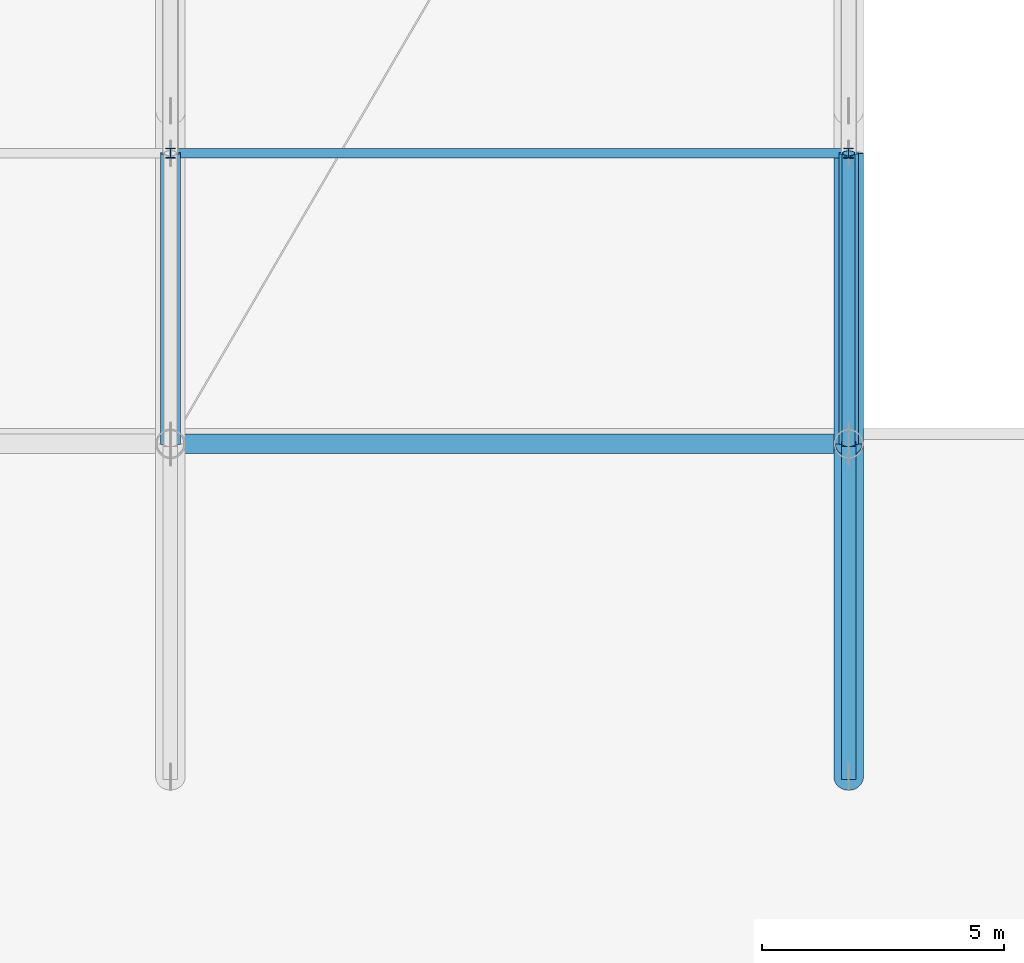
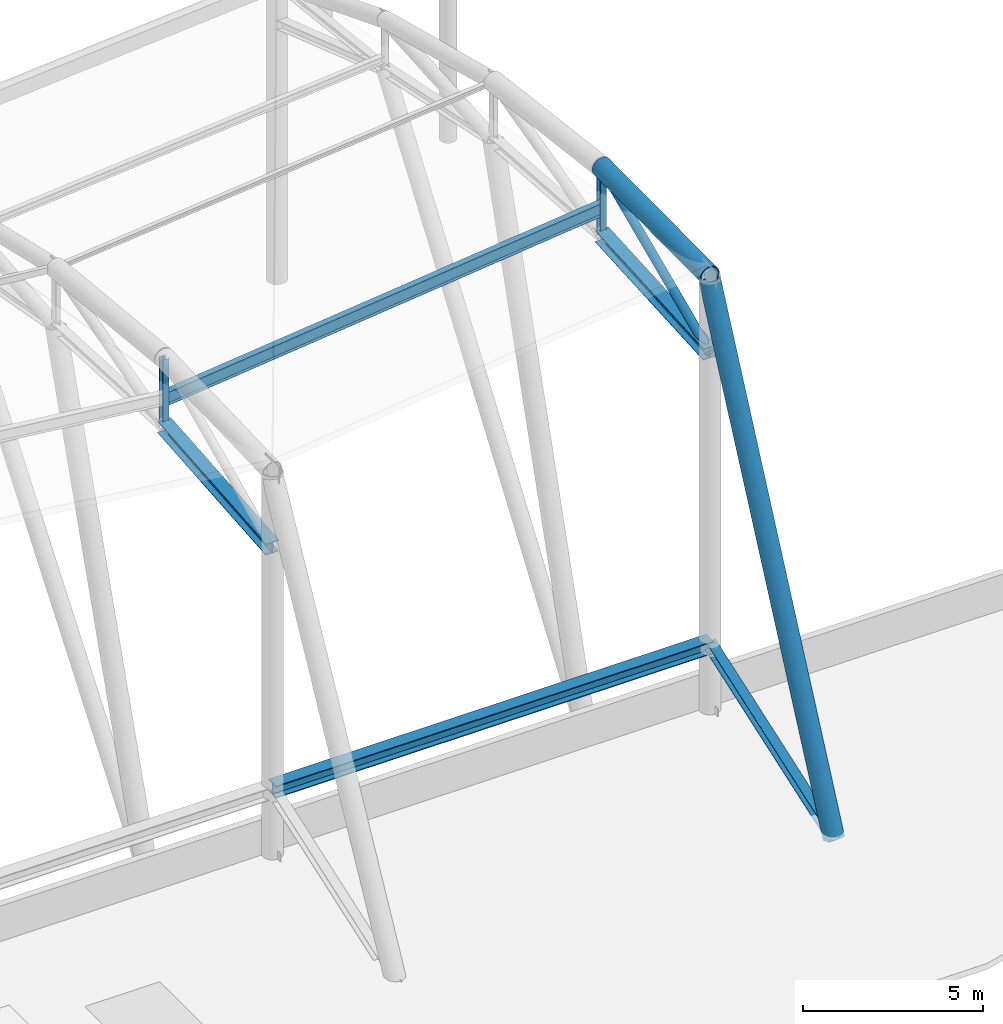
# One storey, part 22 of 90: 9 members, 1 beam.
"""IFC4 building model written with IfcOpenShell, lengths in metres."""

from ifc_helpers import new_model, si_unit, direction, frame, origin, origin_2d, place, context, subcontext, project, spatial, hollow_circle, i_section, extrude, material, material_profile, profile_set, type_object, element, save


model = new_model("IFC4")

# Units and contexts
model_context = context("Model", 3, precision=1e-05, world=origin(), true_north=direction((0.0, 1.0)))
body_context = subcontext(model_context, "Body", "Model", "MODEL_VIEW")
ifc_project = project(units=[si_unit("LENGTHUNIT", "METRE"), si_unit("AREAUNIT", "SQUARE_METRE"), si_unit("VOLUMEUNIT", "CUBIC_METRE"), si_unit("PLANEANGLEUNIT", "RADIAN"), si_unit("MASSUNIT", "GRAM", prefix="KILO")], contexts=[model_context])

# Site, building, storey
site_placement = place(None, origin())
site = spatial("IfcSite", under=ifc_project, at=site_placement, CompositionType="ELEMENT")
building_placement = place(site_placement, origin())
building = spatial("IfcBuilding", under=site, at=building_placement, Name="Linyun Crest Stadium", CompositionType="ELEMENT")
storey_placement = place(building_placement, frame((0.0, 0.0, 21.0)))
storey = spatial("IfcBuildingStorey", under=building, at=storey_placement, Name="L05", CompositionType="ELEMENT", Elevation=21.0)

# Beam
ifc_material_1 = material(Name="Steel Q420C", Category="steel")
ifc_material_profile_1 = material_profile(ifc_material_1, i_section(OverallWidth=0.405029296875, OverallDepth=0.4140625, WebThickness=0.01806640625, FlangeThickness=0.028076171875, at=origin_2d()), Name="HW 414x405")
ifc_profile_set_1 = profile_set([ifc_material_profile_1], Name="Steel Q420C")
beam_type = type_object("IfcBeamType", Name="HB04", PredefinedType="USERDEFINED", material=ifc_profile_set_1)
beam_placement = place(storey_placement, frame((14.0, -73.5, 2.195068359375), z_axis=(1.0, 0.0, 0.0), x_axis=(0.0, 1.0, 0.0)))
element("IfcBeam", 1, at=beam_placement, inside=storey, type_object=beam_type, Name="Roof Outer compression ring beam HB04 V4 44", ObjectType="RING BEAM", PredefinedType="USERDEFINED", context=body_context, shape_type="SweptSolid", body=[
    extrude(i_section(OverallWidth=0.405029296875, OverallDepth=0.4140625, WebThickness=0.01806640625, FlangeThickness=0.028076171875, at=origin_2d()), origin(), (0.0, 0.0, 1.0), 14.0),
])

# Members
ifc_material_2 = material(Name="Steel Q355B", Category="steel")
ifc_material_profile_2 = material_profile(ifc_material_2, i_section(OverallWidth=0.199951171875, OverallDepth=0.449951171875, WebThickness=0.009033203125, FlangeThickness=0.013916015625, at=origin_2d()), Name="HN 450x200")
ifc_profile_set_2 = profile_set([ifc_material_profile_2], Name="Steel Q355B")
member_type_1 = type_object("IfcMemberType", Name="PR04", PredefinedType="PURLIN", material=ifc_profile_set_2)
member_1_placement = place(storey_placement, frame((14.0, -67.5, 11.764892578125), z_axis=(0.993926568658, 0.0, 0.110045336642), x_axis=(0.0, 1.0, 0.0)))
element("IfcMember", 2, at=member_1_placement, inside=storey, type_object=member_type_1, Name="Roof canopy purlin PR04 V4 579", PredefinedType="PURLIN", context=body_context, shape_type="SweptSolid", body=[
    extrude(i_section(OverallWidth=0.199951171875, OverallDepth=0.449951171875, WebThickness=0.009033203125, FlangeThickness=0.013916015625, at=origin_2d()), origin(), (0.0, 0.0, 1.0), 14.08544921875),
])
ifc_material_3 = material(Name="Steel Q420C", Category="steel")
ifc_material_profile_3 = material_profile(ifc_material_3, hollow_circle(Radius=0.304931640625, WallThickness=0.030029296875, at=origin_2d()), Name="CHS 610x30")
ifc_profile_set_3 = profile_set([ifc_material_profile_3], Name="Steel Q420C")
member_type_2 = type_object("IfcMemberType", Name="TC02", PredefinedType="CHORD", material=ifc_profile_set_3)
member_2_placement = place(storey_placement, frame((28.0, -73.5, 14.5), z_axis=(0.0, -0.423524282571, -0.905884750988), x_axis=(1.0, 0.0, 0.0)))
element("IfcMember", 3, at=member_2_placement, inside=storey, type_object=member_type_2, Name="Roof truss back-stay chord TC02 V4 548", PredefinedType="CHORD", context=body_context, shape_type="SweptSolid", body=[
    extrude(hollow_circle(Radius=0.304931640625, WallThickness=0.030029296875, at=origin_2d()), origin(), (0.0, 0.0, 1.0), 16.23291015625),
])
member_3_placement = place(storey_placement, frame((28.0, -73.5, 14.64990234375), z_axis=(0.0, 0.999963840982, 0.008503924266), x_axis=(-1.0, 0.0, 0.0)))
element("IfcMember", 4, at=member_3_placement, inside=storey, type_object=member_type_2, Name="Roof truss top chord TC02 V4 550", PredefinedType="CHORD", context=body_context, shape_type="SweptSolid", body=[
    extrude(hollow_circle(Radius=0.304931640625, WallThickness=0.030029296875, at=origin_2d()), origin(), (0.0, 0.0, 1.0), 6.000244140625),
])
ifc_material_4 = material(Name="Steel Q355C", Category="steel")
ifc_material_profile_4 = material_profile(ifc_material_4, i_section(OverallWidth=0.300048828125, OverallDepth=0.300048828125, WebThickness=0.010009765625, FlangeThickness=0.014892578125, at=origin_2d()), Name="HW 300x300")
ifc_profile_set_4 = profile_set([ifc_material_profile_4], Name="Steel Q355C")
member_type_3 = type_object("IfcMemberType", Name="TC03", PredefinedType="CHORD", material=ifc_profile_set_4)
member_4_placement = place(storey_placement, frame((28.0, -73.5, 2.195068359375), z_axis=(0.0, -0.944119407073, -0.329603618286), x_axis=(1.0, 0.0, 0.0)))
element("IfcMember", 5, at=member_4_placement, inside=storey, type_object=member_type_3, Name="Roof truss lower back-span chord TC03 V4 549", PredefinedType="CHORD", context=body_context, shape_type="SweptSolid", body=[
    extrude(i_section(OverallWidth=0.300048828125, OverallDepth=0.300048828125, WebThickness=0.010009765625, FlangeThickness=0.014892578125, at=origin_2d()), origin(), (0.0, 0.0, 1.0), 7.281982421875),
])
ifc_material_5 = material(Name="Steel Q420C", Category="steel")
ifc_material_profile_5 = material_profile(ifc_material_5, i_section(OverallWidth=0.407958984375, OverallDepth=0.39990234375, WebThickness=0.02099609375, FlangeThickness=0.02099609375, at=origin_2d()), Name="HW 400x408")
ifc_profile_set_5 = profile_set([ifc_material_profile_5], Name="Steel Q420C")
member_type_4 = type_object("IfcMemberType", Name="TC04", PredefinedType="CHORD", material=ifc_profile_set_5)
member_5_placement = place(storey_placement, frame((14.0, -73.5, 10.35009765625), z_axis=(0.0, 0.99637939737, 0.085018212739), x_axis=(-1.0, 0.0, 0.0)))
element("IfcMember", 6, at=member_5_placement, inside=storey, type_object=member_type_4, Name="Roof truss bottom chord TC04 V4 532", PredefinedType="CHORD", context=body_context, shape_type="SweptSolid", body=[
    extrude(i_section(OverallWidth=0.407958984375, OverallDepth=0.39990234375, WebThickness=0.02099609375, FlangeThickness=0.02099609375, at=origin_2d()), origin(), (0.0, 0.0, 1.0), 6.021728515625),
])
member_6_placement = place(storey_placement, frame((28.0, -73.5, 12.050048828125), z_axis=(0.0, 0.998174511601, 0.060395731557), x_axis=(-1.0, 0.0, 0.0)))
element("IfcMember", 7, at=member_6_placement, inside=storey, type_object=member_type_4, Name="Roof truss bottom chord TC04 V4 551", PredefinedType="CHORD", context=body_context, shape_type="SweptSolid", body=[
    extrude(i_section(OverallWidth=0.407958984375, OverallDepth=0.39990234375, WebThickness=0.02099609375, FlangeThickness=0.02099609375, at=origin_2d()), origin(), (0.0, 0.0, 1.0), 6.010986328125),
])
ifc_material_6 = material(Name="Steel Q355C", Category="steel")
ifc_material_profile_6 = material_profile(ifc_material_6, hollow_circle(Radius=0.136474609375, WallThickness=0.013916015625, at=origin_2d()), Name="CHS 273x14")
ifc_profile_set_6 = profile_set([ifc_material_profile_6], Name="Steel Q355C")
member_type_5 = type_object("IfcMemberType", Name="TD01", PredefinedType="BRACE", material=ifc_profile_set_6)
member_7_placement = place(storey_placement, frame((28.0, -73.5, 12.050048828125), z_axis=(0.0, 0.914702602644, 0.40412763914), x_axis=(-1.0, 0.0, 0.0)))
element("IfcMember", 8, at=member_7_placement, inside=storey, type_object=member_type_5, Name="Roof truss diagonal TD01 V4 552", PredefinedType="BRACE", context=body_context, shape_type="SweptSolid", body=[
    extrude(hollow_circle(Radius=0.136474609375, WallThickness=0.013916015625, at=origin_2d()), origin(), (0.0, 0.0, 1.0), 6.5595703125),
])
ifc_material_7 = material(Name="Steel Q355C", Category="steel")
ifc_material_profile_7 = material_profile(ifc_material_7, i_section(OverallWidth=0.199951171875, OverallDepth=0.199951171875, WebThickness=0.008056640625, FlangeThickness=0.011962890625, at=origin_2d()), Name="HW 200x200")
ifc_profile_set_7 = profile_set([ifc_material_profile_7], Name="Steel Q355C")
member_type_6 = type_object("IfcMemberType", Name="TV02", PredefinedType="STRUT", material=ifc_profile_set_7)
for number, where, z_axis, x_axis, name in (
    (9, (14.0, -67.5, 10.862060546875), (0.0, 0.0, 1.0), (1.0, 0.0, 0.0), "Roof vertical strut TV02 V4 537"),
    (10, (28.0, -67.5, 12.4130859375), (0.0, 0.0, 1.0), (1.0, 0.0, 0.0), "Roof vertical strut TV02 V4 556"),
):
    element("IfcMember", number, at=place(storey_placement, frame(where, z_axis=z_axis, x_axis=x_axis)), inside=storey, type_object=member_type_6, Name=name, PredefinedType="STRUT", context=body_context, shape_type="SweptSolid", body=[
        extrude(i_section(OverallWidth=0.199951171875, OverallDepth=0.199951171875, WebThickness=0.008056640625, FlangeThickness=0.011962890625, at=origin_2d()), origin(), (0.0, 0.0, 1.0), 2.287841796875),
    ])

save(model, "model.ifc")
